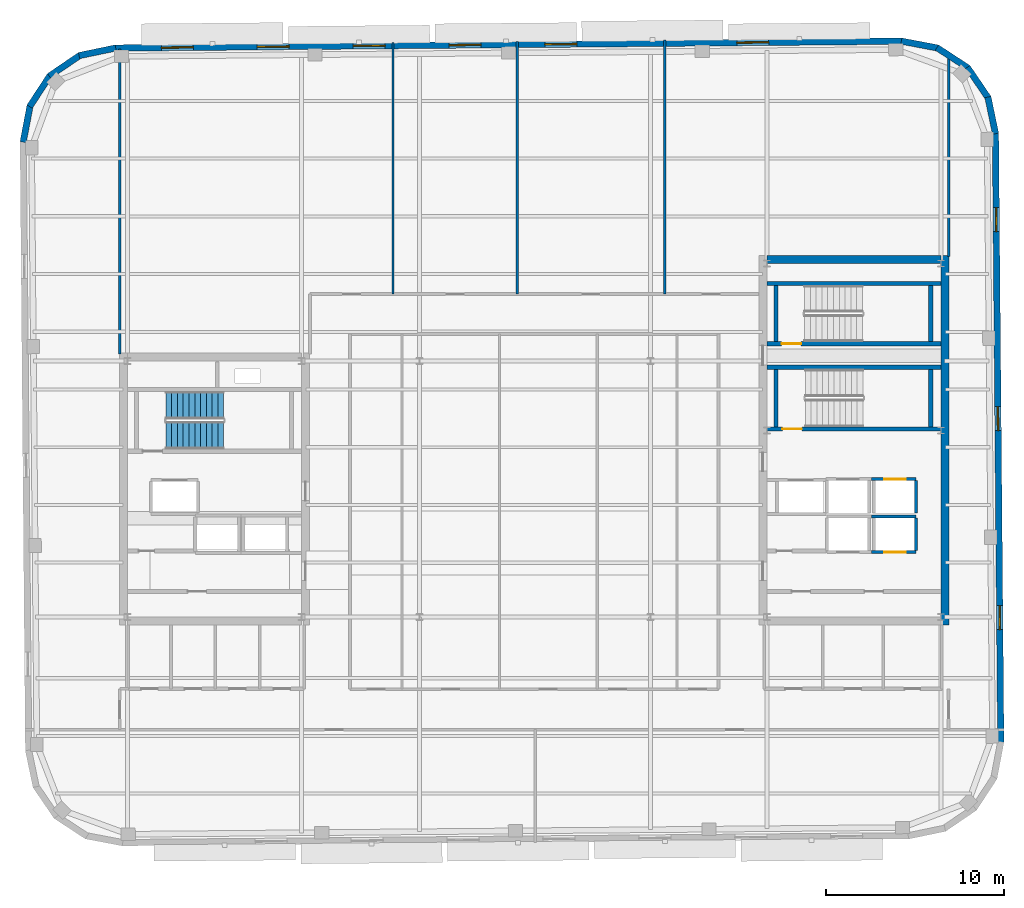
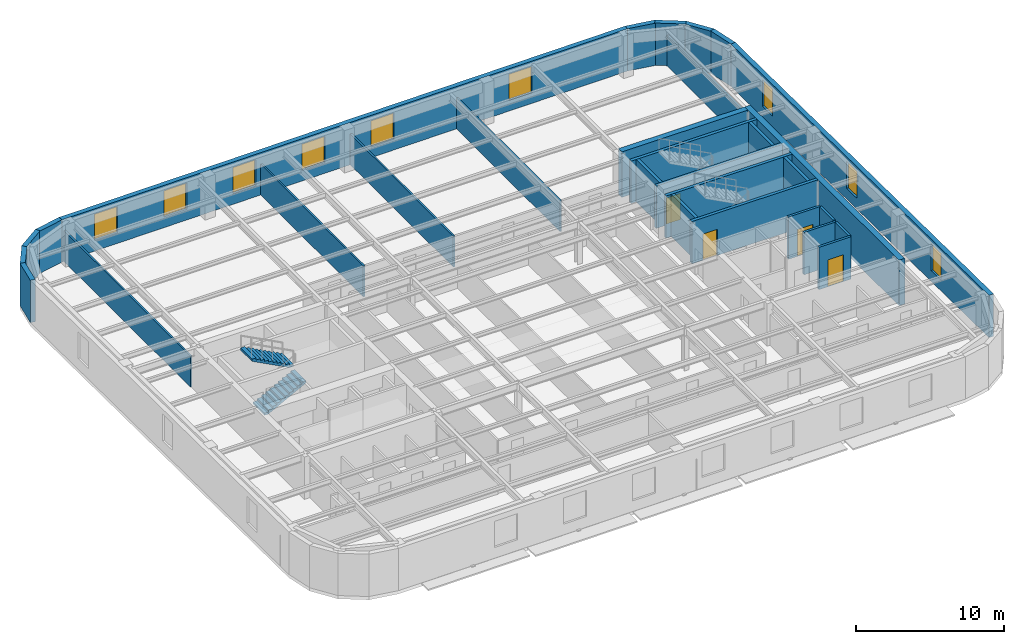
# One storey, part 9 of 14: 30 walls, 9 windows, 4 doors, 2 stair flights, 13 openings, 1 element without a shape of its own.
"""IFC4 building model written with IfcOpenShell, lengths in metres."""

from ifc_helpers import new_model, si_unit, direction, frame, frame_2d, origin, place, context, subcontext, project, spatial, polyline, rectangle, outline, extrude, material, layer, layer_set, type_object, element, fill, aggregate, save


model = new_model("IFC4")

# Units and contexts
model_context = context("Model", 3, precision=1e-05, world=origin(), true_north=direction((0.0, 1.0)))
body_context = subcontext(model_context, "Body", "Model", "MODEL_VIEW")
ifc_project = project(units=[si_unit("LENGTHUNIT", "METRE"), si_unit("AREAUNIT", "SQUARE_METRE"), si_unit("VOLUMEUNIT", "CUBIC_METRE"), si_unit("PLANEANGLEUNIT", "RADIAN"), si_unit("MASSUNIT", "GRAM", prefix="KILO")], contexts=[model_context])

# Site, building, storey
site_placement = place(None, origin())
site = spatial("IfcSite", under=ifc_project, at=site_placement, CompositionType="ELEMENT")
building_placement = place(site_placement, origin())
building = spatial("IfcBuilding", under=site, at=building_placement, Name="Kolvaren Arena Tower", CompositionType="ELEMENT")
storey_placement = place(building_placement, frame((0.0, 0.0, 297.39990234375)))
storey = spatial("IfcBuildingStorey", under=building, at=storey_placement, Name="L73", CompositionType="ELEMENT", Elevation=297.39990234375)

# Walls
ifc_material_1 = material(Name="Concrete 55 MPa", Category="concrete")
ifc_layer_1 = layer(ifc_material_1, 0.449951171875)
ifc_layer_set_1 = layer_set([ifc_layer_1], Name="Concrete 55 MPa")
wall_type_1 = type_object("IfcWallType", Name="CWALL-450", PredefinedType="SHEAR", material=ifc_layer_set_1)
wall_1_placement = place(storey_placement, frame((60.574951171875, 19.0, -0.27001953125), z_axis=(0.0, 0.0, 1.0), x_axis=(0.0, 1.0, 0.0)))
element("IfcWall", 1, at=wall_1_placement, inside=storey, type_object=wall_type_1, Name="Core Shear Wall EC-EAST (L73)", PredefinedType="SHEAR", context=body_context, shape_type="SweptSolid", body=[
    extrude(rectangle(XDim=20.800048828125, YDim=0.449951171875, at=frame_2d((10.39990234375, 0.0))), origin(), (0.0, 0.0, 1.0), 3.75),
])
wall_2_placement = place(storey_placement, frame((50.550048828125, 39.574951171875, -0.27001953125), z_axis=(0.0, 0.0, 1.0), x_axis=(1.0, 0.0, 0.0)))
element("IfcWall", 2, at=wall_2_placement, inside=storey, type_object=wall_type_1, Name="Core Shear Wall EC-NORTH (L73)", PredefinedType="SHEAR", context=body_context, shape_type="SweptSolid", body=[
    extrude(rectangle(XDim=9.800048828125, YDim=0.449951171875, at=frame_2d((4.89990234375, 0.0))), origin(), (0.0, 0.0, 1.0), 3.75),
])

# Wall, openings, windows
ifc_material_2 = material(Name="Precast concrete C50/60", Category="concrete")
ifc_layer_2 = layer(ifc_material_2, 0.360107421875)
ifc_layer_set_2 = layer_set([ifc_layer_2], Name="Precast concrete C50/60")
wall_type_2 = type_object("IfcWallType", Name="EXT-PIER2", PredefinedType="SOLIDWALL", material=ifc_layer_set_2)
wall_3_placement = place(storey_placement, frame((63.419189453125, 46.688232421875, 0.0), z_axis=(0.0, 0.0, 1.0), x_axis=(0.008726391715, -0.999961924319, 0.0)))
wall_3 = element("IfcWall", 3, at=wall_3_placement, inside=storey, type_object=wall_type_2, Name="Exterior Precast Masonry-Frame Wall (L73)", PredefinedType="SOLIDWALL", context=body_context, shape_type="SweptSolid", body=[
    extrude(rectangle(XDim=34.300048828125, YDim=0.360107421875, at=frame_2d((17.14990234375, 0.0))), origin(), (0.0, 0.0, 1.0), 3.47998046875),
])
opening_1_placement = place(wall_3_placement, frame((4.199951171875, 0.0, 0.8798828125)))
opening_1 = element("IfcOpeningElement", 4, at=opening_1_placement, cuts=wall_3, Name="Opening W04", PredefinedType="OPENING", context=body_context, shape_type="SweptSolid", body=[
    extrude(rectangle(XDim=1.35009765625, YDim=2.199951171875, at=frame_2d((0.675048828125, 1.10009765625))), frame((0.0, 0.18994140625, 0.0), z_axis=(0.0, -1.0, 0.0), x_axis=(1.0, 0.0, 0.0)), (0.0, 0.0, 1.0), 0.380126953125),
])
opening_2_placement = place(wall_3_placement, frame((15.39990234375, 0.0, 0.8798828125)))
opening_2 = element("IfcOpeningElement", 5, at=opening_2_placement, cuts=wall_3, Name="Opening W04", PredefinedType="OPENING", context=body_context, shape_type="SweptSolid", body=[
    extrude(rectangle(XDim=1.35009765625, YDim=2.199951171875, at=frame_2d((0.675048828125, 1.10009765625))), frame((0.0, 0.18994140625, 0.0), z_axis=(0.0, -1.0, 0.0), x_axis=(1.0, 0.0, 0.0)), (0.0, 0.0, 1.0), 0.380126953125),
])
opening_3_placement = place(wall_3_placement, frame((26.60009765625, 0.0, 0.8798828125)))
opening_3 = element("IfcOpeningElement", 6, at=opening_3_placement, cuts=wall_3, Name="Opening W04", PredefinedType="OPENING", context=body_context, shape_type="SweptSolid", body=[
    extrude(rectangle(XDim=1.35009765625, YDim=2.199951171875, at=frame_2d((0.675048828125, 1.10009765625))), frame((0.0, 0.18994140625, 0.0), z_axis=(0.0, -1.0, 0.0), x_axis=(1.0, 0.0, 0.0)), (0.0, 0.0, 1.0), 0.380126953125),
])
ifc_material_3 = material(Name="Triple-glazed curved-facet corner window", Category="glass")
window_type_1 = type_object("IfcWindowType", Name="WIN-CRN-A", PartitioningType="SINGLE_PANEL", PredefinedType="WINDOW", material=ifc_material_3)
window_1_placement = place(opening_1_placement, origin())
window_1 = element("IfcWindow", 7, at=window_1_placement, inside=storey, type_object=window_type_1, Name="End-Wall Punched Window (L73)", OverallHeight=2.199951171875, OverallWidth=1.35009765625, PartitioningType="SINGLE_PANEL", PredefinedType="WINDOW", context=body_context, shape_type="SweptSolid", body=[
    extrude(rectangle(XDim=1.35009765625, YDim=2.199951171875, at=frame_2d((0.675048828125, 1.10009765625))), frame((0.0, 0.030029296875, 0.0), z_axis=(0.0, -1.0, 0.0), x_axis=(1.0, 0.0, 0.0)), (0.0, 0.0, 1.0), 0.06005859375),
])
fill(opening_1, window_1)
window_2_placement = place(opening_2_placement, origin())
window_2 = element("IfcWindow", 8, at=window_2_placement, inside=storey, type_object=window_type_1, Name="End-Wall Punched Window (L73)", OverallHeight=2.199951171875, OverallWidth=1.35009765625, PartitioningType="SINGLE_PANEL", PredefinedType="WINDOW", context=body_context, shape_type="SweptSolid", body=[
    extrude(rectangle(XDim=1.35009765625, YDim=2.199951171875, at=frame_2d((0.675048828125, 1.10009765625))), frame((0.0, 0.030029296875, 0.0), z_axis=(0.0, -1.0, 0.0), x_axis=(1.0, 0.0, 0.0)), (0.0, 0.0, 1.0), 0.06005859375),
])
fill(opening_2, window_2)
window_3_placement = place(opening_3_placement, origin())
window_3 = element("IfcWindow", 9, at=window_3_placement, inside=storey, type_object=window_type_1, Name="End-Wall Punched Window (L73)", OverallHeight=2.199951171875, OverallWidth=1.35009765625, PartitioningType="SINGLE_PANEL", PredefinedType="WINDOW", context=body_context, shape_type="SweptSolid", body=[
    extrude(rectangle(XDim=1.35009765625, YDim=2.199951171875, at=frame_2d((0.675048828125, 1.10009765625))), frame((0.0, 0.030029296875, 0.0), z_axis=(0.0, -1.0, 0.0), x_axis=(1.0, 0.0, 0.0)), (0.0, 0.0, 1.0), 0.06005859375),
])
fill(opening_3, window_3)

# Walls
for number, where, z_axis, x_axis, name in (
    (10, (62.993896484375, 48.7158203125, 0.0), (0.0, 0.0, 1.0), (0.203709000552, -0.979031482177, 0.0), "Exterior Precast Masonry-Frame Wall (L73)"),
    (11, (61.835693359375, 50.392822265625, 0.0), (0.0, 0.0, 1.0), (0.562829722645, -0.826572866302, 0.0), "Exterior Precast Masonry-Frame Wall (L73)"),
):
    element("IfcWall", number, at=place(storey_placement, frame(where, z_axis=z_axis, x_axis=x_axis)), inside=storey, type_object=wall_type_2, Name=name, PredefinedType="SOLIDWALL", context=body_context, shape_type="SweptSolid", body=[
        extrude(rectangle(XDim=2.10693359375, YDim=0.360107421875, at=frame_2d((1.053466796875, 0.0))), origin(), (0.0, 0.0, 1.0), 3.47998046875),
    ])
for number, where, z_axis, x_axis, name in (
    (12, (60.123779296875, 51.498779296875, 0.0), (0.0, 0.0, 1.0), (0.83632188969, -0.548238722478, 0.0), "Exterior Precast Masonry-Frame Wall (L73)"),
    (13, (58.118896484375, 51.865478515625, 0.0), (0.0, 0.0, 1.0), (0.982463107022, -0.186457081764, 0.0), "Exterior Precast Masonry-Frame Wall (L73)"),
):
    element("IfcWall", number, at=place(storey_placement, frame(where, z_axis=z_axis, x_axis=x_axis)), inside=storey, type_object=wall_type_2, Name=name, PredefinedType="SOLIDWALL", context=body_context, shape_type="SweptSolid", body=[
        extrude(rectangle(XDim=2.106689453125, YDim=0.360107421875, at=frame_2d((1.05322265625, 0.0))), origin(), (0.0, 0.0, 1.0), 3.47998046875),
    ])

# Wall, openings, windows
wall_4_placement = place(storey_placement, frame((13.855712890625, 51.475830078125, 0.0), z_axis=(0.0, 0.0, 1.0), x_axis=(0.999961944954, 0.008724026757, 0.0)))
wall_4 = element("IfcWall", 14, at=wall_4_placement, inside=storey, type_object=wall_type_2, Name="Exterior Precast Masonry-Frame Wall (L73)", PredefinedType="SOLIDWALL", context=body_context, shape_type="SweptSolid", body=[
    extrude(rectangle(XDim=44.300048828125, YDim=0.360107421875, at=frame_2d((22.14990234375, 0.0))), origin(), (0.0, 0.0, 1.0), 3.47998046875),
])
opening_4_placement = place(wall_4_placement, frame((2.60009765625, 0.0, 0.8798828125)))
opening_4 = element("IfcOpeningElement", 15, at=opening_4_placement, cuts=wall_4, Name="Opening W02", PredefinedType="OPENING", context=body_context, shape_type="SweptSolid", body=[
    extrude(rectangle(XDim=1.800048828125, YDim=2.14990234375, at=frame_2d((0.89990234375, 1.074951171875))), frame((0.0, 0.18994140625, 0.0), z_axis=(0.0, -1.0, 0.0), x_axis=(1.0, 0.0, 0.0)), (0.0, 0.0, 1.0), 0.380126953125),
])
opening_5_placement = place(wall_4_placement, frame((8.0, 0.0, 0.8798828125)))
opening_5 = element("IfcOpeningElement", 16, at=opening_5_placement, cuts=wall_4, Name="Opening W02", PredefinedType="OPENING", context=body_context, shape_type="SweptSolid", body=[
    extrude(rectangle(XDim=1.800048828125, YDim=2.14990234375, at=frame_2d((0.89990234375, 1.074951171875))), frame((0.0, 0.18994140625, 0.0), z_axis=(0.0, -1.0, 0.0), x_axis=(1.0, 0.0, 0.0)), (0.0, 0.0, 1.0), 0.380126953125),
])
opening_6_placement = place(wall_4_placement, frame((13.39990234375, 0.0, 0.8798828125)))
opening_6 = element("IfcOpeningElement", 17, at=opening_6_placement, cuts=wall_4, Name="Opening W02", PredefinedType="OPENING", context=body_context, shape_type="SweptSolid", body=[
    extrude(rectangle(XDim=1.800048828125, YDim=2.14990234375, at=frame_2d((0.89990234375, 1.074951171875))), frame((0.0, 0.18994140625, 0.0), z_axis=(0.0, -1.0, 0.0), x_axis=(1.0, 0.0, 0.0)), (0.0, 0.0, 1.0), 0.380126953125),
])
opening_7_placement = place(wall_4_placement, frame((18.800048828125, 0.0, 0.8798828125)))
opening_7 = element("IfcOpeningElement", 18, at=opening_7_placement, cuts=wall_4, Name="Opening W02", PredefinedType="OPENING", context=body_context, shape_type="SweptSolid", body=[
    extrude(rectangle(XDim=1.800048828125, YDim=2.14990234375, at=frame_2d((0.89990234375, 1.074951171875))), frame((0.0, 0.18994140625, 0.0), z_axis=(0.0, -1.0, 0.0), x_axis=(1.0, 0.0, 0.0)), (0.0, 0.0, 1.0), 0.380126953125),
])
opening_8_placement = place(wall_4_placement, frame((24.199951171875, 0.0, 0.8798828125)))
opening_8 = element("IfcOpeningElement", 19, at=opening_8_placement, cuts=wall_4, Name="Opening W02", PredefinedType="OPENING", context=body_context, shape_type="SweptSolid", body=[
    extrude(rectangle(XDim=1.800048828125, YDim=2.14990234375, at=frame_2d((0.89990234375, 1.074951171875))), frame((0.0, 0.18994140625, 0.0), z_axis=(0.0, -1.0, 0.0), x_axis=(1.0, 0.0, 0.0)), (0.0, 0.0, 1.0), 0.380126953125),
])
opening_9_placement = place(wall_4_placement, frame((35.0, 0.0, 0.8798828125)))
opening_9 = element("IfcOpeningElement", 20, at=opening_9_placement, cuts=wall_4, Name="Opening W02", PredefinedType="OPENING", context=body_context, shape_type="SweptSolid", body=[
    extrude(rectangle(XDim=1.800048828125, YDim=2.14990234375, at=frame_2d((0.89990234375, 1.074951171875))), frame((0.0, 0.18994140625, 0.0), z_axis=(0.0, -1.0, 0.0), x_axis=(1.0, 0.0, 0.0)), (0.0, 0.0, 1.0), 0.380126953125),
])
ifc_material_4 = material(Name="Triple-glazed low-E aluminium window", Category="aluminium")
window_type_2 = type_object("IfcWindowType", Name="WIN-OFF-B", PartitioningType="DOUBLE_PANEL_VERTICAL", PredefinedType="WINDOW", material=ifc_material_4)
window_4_placement = place(opening_4_placement, origin())
window_4 = element("IfcWindow", 21, at=window_4_placement, inside=storey, type_object=window_type_2, Name="Punched Precast-Pier Window (L73)", OverallHeight=2.14990234375, OverallWidth=1.800048828125, PartitioningType="DOUBLE_PANEL_VERTICAL", PredefinedType="WINDOW", context=body_context, shape_type="SweptSolid", body=[
    extrude(rectangle(XDim=1.800048828125, YDim=2.14990234375, at=frame_2d((0.89990234375, 1.074951171875))), frame((0.0, 0.030029296875, 0.0), z_axis=(0.0, -1.0, 0.0), x_axis=(1.0, 0.0, 0.0)), (0.0, 0.0, 1.0), 0.06005859375),
])
fill(opening_4, window_4)
window_5_placement = place(opening_5_placement, origin())
window_5 = element("IfcWindow", 22, at=window_5_placement, inside=storey, type_object=window_type_2, Name="Punched Precast-Pier Window (L73)", OverallHeight=2.14990234375, OverallWidth=1.800048828125, PartitioningType="DOUBLE_PANEL_VERTICAL", PredefinedType="WINDOW", context=body_context, shape_type="SweptSolid", body=[
    extrude(rectangle(XDim=1.800048828125, YDim=2.14990234375, at=frame_2d((0.89990234375, 1.074951171875))), frame((0.0, 0.030029296875, 0.0), z_axis=(0.0, -1.0, 0.0), x_axis=(1.0, 0.0, 0.0)), (0.0, 0.0, 1.0), 0.06005859375),
])
fill(opening_5, window_5)
window_6_placement = place(opening_6_placement, origin())
window_6 = element("IfcWindow", 23, at=window_6_placement, inside=storey, type_object=window_type_2, Name="Punched Precast-Pier Window (L73)", OverallHeight=2.14990234375, OverallWidth=1.800048828125, PartitioningType="DOUBLE_PANEL_VERTICAL", PredefinedType="WINDOW", context=body_context, shape_type="SweptSolid", body=[
    extrude(rectangle(XDim=1.800048828125, YDim=2.14990234375, at=frame_2d((0.89990234375, 1.074951171875))), frame((0.0, 0.030029296875, 0.0), z_axis=(0.0, -1.0, 0.0), x_axis=(1.0, 0.0, 0.0)), (0.0, 0.0, 1.0), 0.06005859375),
])
fill(opening_6, window_6)
window_7_placement = place(opening_7_placement, origin())
window_7 = element("IfcWindow", 24, at=window_7_placement, inside=storey, type_object=window_type_2, Name="Punched Precast-Pier Window (L73)", OverallHeight=2.14990234375, OverallWidth=1.800048828125, PartitioningType="DOUBLE_PANEL_VERTICAL", PredefinedType="WINDOW", context=body_context, shape_type="SweptSolid", body=[
    extrude(rectangle(XDim=1.800048828125, YDim=2.14990234375, at=frame_2d((0.89990234375, 1.074951171875))), frame((0.0, 0.030029296875, 0.0), z_axis=(0.0, -1.0, 0.0), x_axis=(1.0, 0.0, 0.0)), (0.0, 0.0, 1.0), 0.06005859375),
])
fill(opening_7, window_7)
window_8_placement = place(opening_8_placement, origin())
window_8 = element("IfcWindow", 25, at=window_8_placement, inside=storey, type_object=window_type_2, Name="Punched Precast-Pier Window (L73)", OverallHeight=2.14990234375, OverallWidth=1.800048828125, PartitioningType="DOUBLE_PANEL_VERTICAL", PredefinedType="WINDOW", context=body_context, shape_type="SweptSolid", body=[
    extrude(rectangle(XDim=1.800048828125, YDim=2.14990234375, at=frame_2d((0.89990234375, 1.074951171875))), frame((0.0, 0.030029296875, 0.0), z_axis=(0.0, -1.0, 0.0), x_axis=(1.0, 0.0, 0.0)), (0.0, 0.0, 1.0), 0.06005859375),
])
fill(opening_8, window_8)
window_9_placement = place(opening_9_placement, origin())
window_9 = element("IfcWindow", 26, at=window_9_placement, inside=storey, type_object=window_type_2, Name="Punched Precast-Pier Window (L73)", OverallHeight=2.14990234375, OverallWidth=1.800048828125, PartitioningType="DOUBLE_PANEL_VERTICAL", PredefinedType="WINDOW", context=body_context, shape_type="SweptSolid", body=[
    extrude(rectangle(XDim=1.800048828125, YDim=2.14990234375, at=frame_2d((0.89990234375, 1.074951171875))), frame((0.0, 0.030029296875, 0.0), z_axis=(0.0, -1.0, 0.0), x_axis=(1.0, 0.0, 0.0)), (0.0, 0.0, 1.0), 0.06005859375),
])
fill(opening_9, window_9)

# Walls
for number, where, z_axis, x_axis, name in (
    (27, (11.827880859375, 51.050537109375, 0.0), (0.0, 0.0, 1.0), (0.97905458633, 0.203597929717, 0.0), "Exterior Precast Masonry-Frame Wall (L73)"),
    (28, (10.15087890625, 49.89208984375, 0.0), (0.0, 0.0, 1.0), (0.826609569219, 0.56277581689, 0.0), "Exterior Precast Masonry-Frame Wall (L73)"),
):
    element("IfcWall", number, at=place(storey_placement, frame(where, z_axis=z_axis, x_axis=x_axis)), inside=storey, type_object=wall_type_2, Name=name, PredefinedType="SOLIDWALL", context=body_context, shape_type="SweptSolid", body=[
        extrude(rectangle(XDim=2.10693359375, YDim=0.360107421875, at=frame_2d((1.053466796875, 0.0))), origin(), (0.0, 0.0, 1.0), 3.47998046875),
    ])
for number, where, z_axis, x_axis, name in (
    (29, (9.044921875, 48.18017578125, 0.0), (0.0, 0.0, 1.0), (0.548266637224, 0.836303589916, 0.0), "Exterior Precast Masonry-Frame Wall (L73)"),
    (30, (8.67822265625, 46.17529296875, 0.0), (0.0, 0.0, 1.0), (0.186547695246, 0.982445905584, 0.0), "Exterior Precast Masonry-Frame Wall (L73)"),
):
    element("IfcWall", number, at=place(storey_placement, frame(where, z_axis=z_axis, x_axis=x_axis)), inside=storey, type_object=wall_type_2, Name=name, PredefinedType="SOLIDWALL", context=body_context, shape_type="SweptSolid", body=[
        extrude(rectangle(XDim=2.107177734375, YDim=0.360107421875, at=frame_2d((1.0537109375, 0.0))), origin(), (0.0, 0.0, 1.0), 3.47998046875),
    ])
ifc_material_5 = material(Name="Gypsum board partition assembly", Category="gypsum")
ifc_layer_3 = layer(ifc_material_5, 0.135009765625)
ifc_layer_set_3 = layer_set([ifc_layer_3], Name="Gypsum board partition assembly")
wall_type_3 = type_object("IfcWallType", Name="PART-135", PredefinedType="PARTITIONING", material=ifc_layer_set_3)
wall_5_placement = place(storey_placement, frame((29.5, 37.6201171875, 0.0), z_axis=(0.0, 0.0, 1.0), x_axis=(0.0, 1.0, 0.0)))
element("IfcWall", 31, at=wall_5_placement, inside=storey, type_object=wall_type_3, Name="Interior Partition Wall (L73)", PredefinedType="PARTITIONING", context=body_context, shape_type="SweptSolid", body=[
    extrude(rectangle(XDim=14.172119140625, YDim=0.135009765625, at=frame_2d((7.0859375, 0.0))), origin(), (0.0, 0.0, 1.0), 2.5400390625),
])
wall_6_placement = place(storey_placement, frame((36.5, 37.6201171875, 0.0), z_axis=(0.0, 0.0, 1.0), x_axis=(0.0, 1.0, 0.0)))
element("IfcWall", 32, at=wall_6_placement, inside=storey, type_object=wall_type_3, Name="Interior Partition Wall (L73)", PredefinedType="PARTITIONING", context=body_context, shape_type="SweptSolid", body=[
    extrude(rectangle(XDim=14.2333984375, YDim=0.135009765625, at=frame_2d((7.11669921875, 0.0))), origin(), (0.0, 0.0, 1.0), 2.5400390625),
])
wall_7_placement = place(storey_placement, frame((44.800048828125, 37.6201171875, 0.0), z_axis=(0.0, 0.0, 1.0), x_axis=(0.0, 1.0, 0.0)))
element("IfcWall", 33, at=wall_7_placement, inside=storey, type_object=wall_type_3, Name="Interior Partition Wall (L73)", PredefinedType="PARTITIONING", context=body_context, shape_type="SweptSolid", body=[
    extrude(rectangle(XDim=14.3056640625, YDim=0.135009765625, at=frame_2d((7.15283203125, 0.0))), origin(), (0.0, 0.0, 1.0), 2.5400390625),
])
wall_8_placement = place(storey_placement, frame((14.1201171875, 34.25, 0.0), z_axis=(0.0, 0.0, 1.0), x_axis=(0.0, 1.0, 0.0)))
element("IfcWall", 34, at=wall_8_placement, inside=storey, type_object=wall_type_3, Name="Interior Partition Wall (L73)", PredefinedType="PARTITIONING", context=body_context, shape_type="SweptSolid", body=[
    extrude(rectangle(XDim=17.168212890625, YDim=0.135009765625, at=frame_2d((8.583984375, 0.0))), origin(), (0.0, 0.0, 1.0), 2.5400390625),
])
wall_9_placement = place(storey_placement, frame((60.780029296875, 39.75, 0.0), z_axis=(0.0, 0.0, 1.0), x_axis=(0.0, 1.0, 0.0)))
element("IfcWall", 35, at=wall_9_placement, inside=storey, type_object=wall_type_3, Name="Interior Partition Wall (L73)", PredefinedType="PARTITIONING", context=body_context, shape_type="SweptSolid", body=[
    extrude(rectangle(XDim=11.246826171875, YDim=0.135009765625, at=frame_2d((5.62353515625, 0.0))), origin(), (0.0, 0.0, 1.0), 2.5400390625),
])

# Wall, opening, door
ifc_material_6 = material(Name="Concrete 45 MPa", Category="concrete")
ifc_layer_4 = layer(ifc_material_6, 0.25)
ifc_layer_set_4 = layer_set([ifc_layer_4], Name="Concrete 45 MPa")
wall_type_4 = type_object("IfcWallType", Name="SHAFT-250", PredefinedType="SOLIDWALL", material=ifc_layer_set_4)
wall_10_placement = place(storey_placement, frame((60.35009765625, 30.030029296875, 0.0), z_axis=(0.0, 0.0, 1.0), x_axis=(-1.0, 0.0, 0.0)))
wall_10 = element("IfcWall", 36, at=wall_10_placement, inside=storey, type_object=wall_type_4, Name="Core Shaft Wall (L73)", PredefinedType="SOLIDWALL", context=body_context, shape_type="SweptSolid", body=[
    extrude(rectangle(XDim=9.800048828125, YDim=0.239990234375, at=frame_2d((4.89990234375, 0.0))), origin(), (0.0, 0.0, 1.0), 3.47998046875),
])
opening_10_placement = place(wall_10_placement, frame((7.830078125, 0.0, 0.0)))
opening_10 = element("IfcOpeningElement", 37, at=opening_10_placement, cuts=wall_10, Name="Opening D03", PredefinedType="OPENING", context=body_context, shape_type="SweptSolid", body=[
    extrude(rectangle(XDim=1.10009765625, YDim=2.14990234375, at=frame_2d((0.550048828125, 1.074951171875))), frame((0.0, 0.1298828125, 0.0), z_axis=(0.0, -1.0, 0.0), x_axis=(1.0, 0.0, 0.0)), (0.0, 0.0, 1.0), 0.260009765625),
])
ifc_material_7 = material(Name="Fire-rated steel exit stair door", Category="steel")
door_type_1 = type_object("IfcDoorType", Name="DOOR-ST-110", OperationType="NOTDEFINED", PredefinedType="DOOR", material=ifc_material_7)
door_1_placement = place(opening_10_placement, origin())
door_1 = element("IfcDoor", 38, at=door_1_placement, inside=storey, type_object=door_type_1, Name="Stair ST-E1 Fire Door (L73)", OperationType="SINGLE_SWING_LEFT", OverallHeight=2.14990234375, OverallWidth=1.10009765625, PredefinedType="DOOR", context=body_context, shape_type="SweptSolid", body=[
    extrude(rectangle(XDim=1.10009765625, YDim=2.14990234375, at=frame_2d((0.550048828125, 1.074951171875))), frame((0.0, 0.02490234375, 0.0), z_axis=(0.0, -1.0, 0.0), x_axis=(1.0, 0.0, 0.0)), (0.0, 0.0, 1.0), 0.050048828125),
])
fill(opening_10, door_1)

# Walls
wall_11_placement = place(storey_placement, frame((50.550048828125, 33.5, 0.0), z_axis=(0.0, 0.0, 1.0), x_axis=(1.0, 0.0, 0.0)))
element("IfcWall", 39, at=wall_11_placement, inside=storey, type_object=wall_type_4, Name="Core Shaft Wall (L73)", PredefinedType="SOLIDWALL", context=body_context, shape_type="SweptSolid", body=[
    extrude(rectangle(XDim=9.800048828125, YDim=0.239990234375, at=frame_2d((4.89990234375, 0.0))), origin(), (0.0, 0.0, 1.0), 3.47998046875),
])
for number, where, z_axis, x_axis, name in (
    (40, (51.06005859375, 30.14990234375, 0.0), (0.0, 0.0, 1.0), (0.0, 1.0, 0.0), "Core Shaft Wall (L73)"),
    (41, (59.780029296875, 30.14990234375, 0.0), (0.0, 0.0, 1.0), (0.0, 1.0, 0.0), "Core Shaft Wall (L73)"),
):
    element("IfcWall", number, at=place(storey_placement, frame(where, z_axis=z_axis, x_axis=x_axis)), inside=storey, type_object=wall_type_4, Name=name, PredefinedType="SOLIDWALL", context=body_context, shape_type="SweptSolid", body=[
        extrude(rectangle(XDim=3.22998046875, YDim=0.239990234375, at=frame_2d((1.614990234375, 0.0))), origin(), (0.0, 0.0, 1.0), 3.47998046875),
    ])

# Wall, opening, door
wall_12_placement = place(storey_placement, frame((60.35009765625, 34.830078125, 0.0), z_axis=(0.0, 0.0, 1.0), x_axis=(-1.0, 0.0, 0.0)))
wall_12 = element("IfcWall", 42, at=wall_12_placement, inside=storey, type_object=wall_type_4, Name="Core Shaft Wall (L73)", PredefinedType="SOLIDWALL", context=body_context, shape_type="SweptSolid", body=[
    extrude(rectangle(XDim=9.800048828125, YDim=0.239990234375, at=frame_2d((4.89990234375, 0.0))), origin(), (0.0, 0.0, 1.0), 3.47998046875),
])
opening_11_placement = place(wall_12_placement, frame((7.8701171875, 0.0, 0.0)))
opening_11 = element("IfcOpeningElement", 43, at=opening_11_placement, cuts=wall_12, Name="Opening D03", PredefinedType="OPENING", context=body_context, shape_type="SweptSolid", body=[
    extrude(rectangle(XDim=1.10009765625, YDim=2.14990234375, at=frame_2d((0.550048828125, 1.074951171875))), frame((0.0, 0.1298828125, 0.0), z_axis=(0.0, -1.0, 0.0), x_axis=(1.0, 0.0, 0.0)), (0.0, 0.0, 1.0), 0.260009765625),
])
door_2_placement = place(opening_11_placement, origin())
door_2 = element("IfcDoor", 44, at=door_2_placement, inside=storey, type_object=door_type_1, Name="Stair ST-E2 Fire Door (L73)", OperationType="SINGLE_SWING_LEFT", OverallHeight=2.14990234375, OverallWidth=1.10009765625, PredefinedType="DOOR", context=body_context, shape_type="SweptSolid", body=[
    extrude(rectangle(XDim=1.10009765625, YDim=2.14990234375, at=frame_2d((0.550048828125, 1.074951171875))), frame((0.0, 0.02490234375, 0.0), z_axis=(0.0, -1.0, 0.0), x_axis=(1.0, 0.0, 0.0)), (0.0, 0.0, 1.0), 0.050048828125),
])
fill(opening_11, door_2)

# Walls
wall_13_placement = place(storey_placement, frame((50.550048828125, 38.219970703125, 0.0), z_axis=(0.0, 0.0, 1.0), x_axis=(1.0, 0.0, 0.0)))
element("IfcWall", 45, at=wall_13_placement, inside=storey, type_object=wall_type_4, Name="Core Shaft Wall (L73)", PredefinedType="SOLIDWALL", context=body_context, shape_type="SweptSolid", body=[
    extrude(rectangle(XDim=9.800048828125, YDim=0.239990234375, at=frame_2d((4.89990234375, 0.0))), origin(), (0.0, 0.0, 1.0), 3.47998046875),
])
for number, where, z_axis, x_axis, name in (
    (46, (51.06005859375, 34.949951171875, 0.0), (0.0, 0.0, 1.0), (0.0, 1.0, 0.0), "Core Shaft Wall (L73)"),
    (47, (59.780029296875, 34.949951171875, 0.0), (0.0, 0.0, 1.0), (0.0, 1.0, 0.0), "Core Shaft Wall (L73)"),
):
    element("IfcWall", number, at=place(storey_placement, frame(where, z_axis=z_axis, x_axis=x_axis)), inside=storey, type_object=wall_type_4, Name=name, PredefinedType="SOLIDWALL", context=body_context, shape_type="SweptSolid", body=[
        extrude(rectangle(XDim=3.150146484375, YDim=0.239990234375, at=frame_2d((1.5751953125, 0.0))), origin(), (0.0, 0.0, 1.0), 3.47998046875),
    ])
wall_14_placement = place(storey_placement, frame((56.43994140625, 25.10498046875, 0.0), z_axis=(0.0, 0.0, 1.0), x_axis=(1.0, 0.0, 0.0)))
element("IfcWall", 48, at=wall_14_placement, inside=storey, type_object=wall_type_4, Name="Core Shaft Wall (L73)", PredefinedType="SOLIDWALL", context=body_context, shape_type="SweptSolid", body=[
    extrude(rectangle(XDim=2.5, YDim=0.179931640625, at=frame_2d((1.25, 0.0))), origin(), (0.0, 0.0, 1.0), 3.47998046875),
])

# Wall, opening, door
wall_15_placement = place(storey_placement, frame((56.43994140625, 23.094970703125, 0.0), z_axis=(0.0, 0.0, 1.0), x_axis=(1.0, 0.0, 0.0)))
wall_15 = element("IfcWall", 49, at=wall_15_placement, inside=storey, type_object=wall_type_4, Name="Core Shaft Wall (L73)", PredefinedType="SOLIDWALL", context=body_context, shape_type="SweptSolid", body=[
    extrude(rectangle(XDim=2.5, YDim=0.179931640625, at=frame_2d((1.25, 0.0))), origin(), (0.0, 0.0, 1.0), 3.47998046875),
])
opening_12_placement = place(wall_15_placement, frame((0.719970703125, 0.0, 0.0)))
opening_12 = element("IfcOpeningElement", 50, at=opening_12_placement, cuts=wall_15, Name="Opening LD1", PredefinedType="OPENING", context=body_context, shape_type="SweptSolid", body=[
    extrude(rectangle(XDim=1.199951171875, YDim=2.199951171875, at=frame_2d((0.60009765625, 1.10009765625))), frame((0.0, 0.099853515625, 0.0), z_axis=(0.0, -1.0, 0.0), x_axis=(1.0, 0.0, 0.0)), (0.0, 0.0, 1.0), 0.199951171875),
])
ifc_material_8 = material(Name="Stainless steel passenger lift landing door", Category="steel")
door_type_2 = type_object("IfcDoorType", Name="DOOR-LD-120", OperationType="DOUBLE_DOOR_SLIDING", PredefinedType="DOOR", material=ifc_material_8)
door_3_placement = place(opening_12_placement, origin())
door_3 = element("IfcDoor", 51, at=door_3_placement, inside=storey, type_object=door_type_2, Name="Lift EL-HR2 Landing Door (L73)", OperationType="DOUBLE_DOOR_SLIDING", OverallHeight=2.199951171875, OverallWidth=1.199951171875, PredefinedType="DOOR", context=body_context, shape_type="SweptSolid", body=[
    extrude(rectangle(XDim=1.199951171875, YDim=2.199951171875, at=frame_2d((0.60009765625, 1.10009765625))), frame((0.0, 0.02490234375, 0.0), z_axis=(0.0, -1.0, 0.0), x_axis=(1.0, 0.0, 0.0)), (0.0, 0.0, 1.0), 0.050048828125),
])
fill(opening_12, door_3)

# Wall
wall_16_placement = place(storey_placement, frame((58.93994140625, 23.18505859375, 0.0), z_axis=(0.0, 0.0, 1.0), x_axis=(0.0, 1.0, 0.0)))
element("IfcWall", 52, at=wall_16_placement, inside=storey, type_object=wall_type_4, Name="Core Shaft Wall (L73)", PredefinedType="SOLIDWALL", context=body_context, shape_type="SweptSolid", body=[
    extrude(rectangle(XDim=1.829833984375, YDim=0.179931640625, at=frame_2d((0.9150390625, 0.0))), origin(), (0.0, 0.0, 1.0), 3.47998046875),
])

# Wall, opening, door
wall_17_placement = place(storey_placement, frame((56.43994140625, 27.205078125, 0.0), z_axis=(0.0, 0.0, 1.0), x_axis=(1.0, 0.0, 0.0)))
wall_17 = element("IfcWall", 53, at=wall_17_placement, inside=storey, type_object=wall_type_4, Name="Core Shaft Wall (L73)", PredefinedType="SOLIDWALL", context=body_context, shape_type="SweptSolid", body=[
    extrude(rectangle(XDim=2.5, YDim=0.179931640625, at=frame_2d((1.25, 0.0))), origin(), (0.0, 0.0, 1.0), 3.47998046875),
])
opening_13_placement = place(wall_17_placement, frame((0.719970703125, 0.0, 0.0)))
opening_13 = element("IfcOpeningElement", 54, at=opening_13_placement, cuts=wall_17, Name="Opening LD1", PredefinedType="OPENING", context=body_context, shape_type="SweptSolid", body=[
    extrude(rectangle(XDim=1.199951171875, YDim=2.199951171875, at=frame_2d((0.60009765625, 1.10009765625))), frame((0.0, 0.099853515625, 0.0), z_axis=(0.0, -1.0, 0.0), x_axis=(1.0, 0.0, 0.0)), (0.0, 0.0, 1.0), 0.199951171875),
])
door_4_placement = place(opening_13_placement, origin())
door_4 = element("IfcDoor", 55, at=door_4_placement, inside=storey, type_object=door_type_2, Name="Lift EL-HR4 Landing Door (L73)", OperationType="DOUBLE_DOOR_SLIDING", OverallHeight=2.199951171875, OverallWidth=1.199951171875, PredefinedType="DOOR", context=body_context, shape_type="SweptSolid", body=[
    extrude(rectangle(XDim=1.199951171875, YDim=2.199951171875, at=frame_2d((0.60009765625, 1.10009765625))), frame((0.0, 0.02490234375, 0.0), z_axis=(0.0, -1.0, 0.0), x_axis=(1.0, 0.0, 0.0)), (0.0, 0.0, 1.0), 0.050048828125),
])
fill(opening_13, door_4)

# Wall
wall_18_placement = place(storey_placement, frame((58.93994140625, 25.284912109375, 0.0), z_axis=(0.0, 0.0, 1.0), x_axis=(0.0, 1.0, 0.0)))
element("IfcWall", 56, at=wall_18_placement, inside=storey, type_object=wall_type_4, Name="Core Shaft Wall (L73)", PredefinedType="SOLIDWALL", context=body_context, shape_type="SweptSolid", body=[
    extrude(rectangle(XDim=1.830078125, YDim=0.179931640625, at=frame_2d((0.9150390625, 0.0))), origin(), (0.0, 0.0, 1.0), 3.47998046875),
])

# Stair, stair flights
stair_type = type_object("IfcStairType", Name="STAIR-CORE-165", PredefinedType="HALF_TURN_STAIR", material=ifc_material_6)
stair_placement = place(storey_placement, origin())
stair = element("IfcStair", 57, at=stair_placement, inside=storey, type_object=stair_type, Name="L73 ST-W1", PredefinedType="HALF_TURN_STAIR")
stair_flight_type = type_object("IfcStairFlightType", Name="FLT-165", PredefinedType="STRAIGHT", material=ifc_material_6)
stair_flight_1_placement = place(storey_placement, frame((16.719970703125, 29.669921875, 0.0), z_axis=(0.0, 0.0, 1.0), x_axis=(1.0, 0.0, 0.0)))
stair_flight_1 = element("IfcStairFlight", 58, at=stair_flight_1_placement, type_object=stair_flight_type, Name="ST-W1 flight 1", NumberOfRisers=11, NumberOfTreads=10, PredefinedType="STRAIGHT", RiserHeight=0.170454545, TreadLength=0.324, context=body_context, shape_type="SweptSolid", body=[
    extrude(outline(polyline([(0.0, 0.0), (0.0, 0.17041015625), (0.323974609375, 0.17041015625), (0.323974609375, 0.3408203125), (0.64794921875, 0.3408203125), (0.64794921875, 0.511474609375), (0.971923828125, 0.511474609375), (0.971923828125, 0.681884765625), (1.2958984375, 0.681884765625), (1.2958984375, 0.852294921875), (1.6201171875, 0.852294921875), (1.6201171875, 1.022705078125), (1.944091796875, 1.022705078125), (1.944091796875, 1.193115234375), (2.26806640625, 1.193115234375), (2.26806640625, 1.363525390625), (2.592041015625, 1.363525390625), (2.592041015625, 1.5341796875), (2.916015625, 1.5341796875), (2.916015625, 1.70458984375), (3.239990234375, 1.70458984375), (3.239990234375, 1.875), (3.239990234375, 1.53515625), (0.322021484375, 0.0), (0.0, 0.0)])), frame((0.0, 0.77001953125, 0.0), z_axis=(0.0, -1.0, 0.0), x_axis=(1.0, 0.0, 0.0)), (0.0, 0.0, 1.0), 1.5400390625),
])
stair_flight_2_placement = place(storey_placement, frame((19.9599609375, 31.360107421875, 1.875), z_axis=(0.0, 0.0, 1.0), x_axis=(-1.0, 0.0, 0.0)))
stair_flight_2 = element("IfcStairFlight", 59, at=stair_flight_2_placement, type_object=stair_flight_type, Name="ST-W1 flight 2", NumberOfRisers=11, NumberOfTreads=10, PredefinedType="STRAIGHT", RiserHeight=0.170454545, TreadLength=0.324, context=body_context, shape_type="SweptSolid", body=[
    extrude(outline(polyline([(0.0, 0.0), (0.0, 0.17041015625), (0.323974609375, 0.17041015625), (0.323974609375, 0.3408203125), (0.64794921875, 0.3408203125), (0.64794921875, 0.511474609375), (0.971923828125, 0.511474609375), (0.971923828125, 0.681884765625), (1.2958984375, 0.681884765625), (1.2958984375, 0.852294921875), (1.6201171875, 0.852294921875), (1.6201171875, 1.022705078125), (1.944091796875, 1.022705078125), (1.944091796875, 1.193115234375), (2.26806640625, 1.193115234375), (2.26806640625, 1.363525390625), (2.592041015625, 1.363525390625), (2.592041015625, 1.5341796875), (2.916015625, 1.5341796875), (2.916015625, 1.70458984375), (3.239990234375, 1.70458984375), (3.239990234375, 1.875), (3.239990234375, 1.53515625), (0.322021484375, 0.0), (0.0, 0.0)])), frame((0.0, 0.77001953125, 0.0), z_axis=(0.0, -1.0, 0.0), x_axis=(1.0, 0.0, 0.0)), (0.0, 0.0, 1.0), 1.5400390625),
])
aggregate(stair, [stair_flight_1, stair_flight_2])

save(model, "model.ifc")
